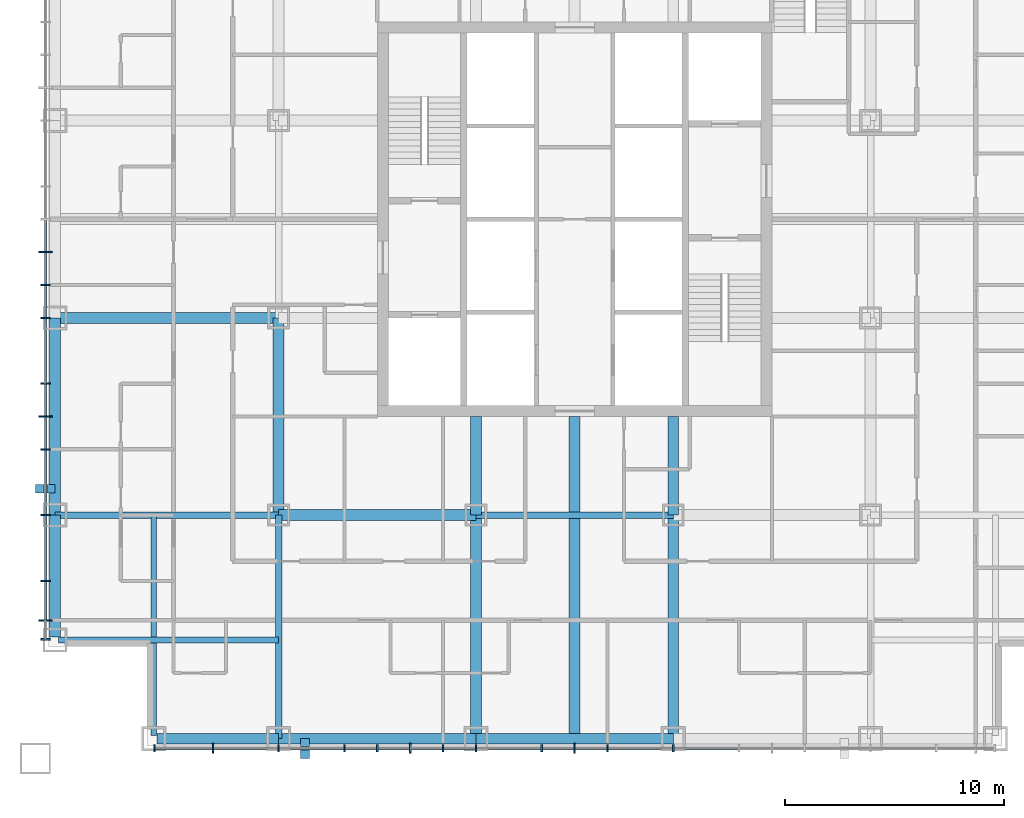
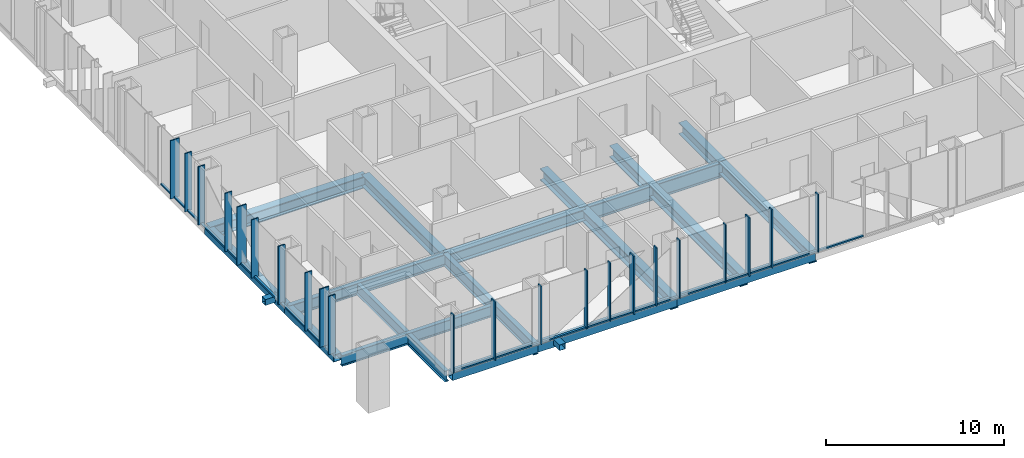
# One storey, part 2 of 14: 45 members, 18 beams, 2 elements without a shape of their own.
"""IFC4 building model written with IfcOpenShell, lengths in metres."""

import ifcopenshell
import ifcopenshell.guid

model = None  # the IFC model being written
_history = None  # IfcOwnerHistory: only IFC2X3 demands one
_inside = {}  # id of a spatial element -> (the spatial element, [elements in it])
_under = {}  # id of a project, library or spatial element -> (it, [spatial elements below it])
_declared = {}  # id of a project -> (the project, [libraries it declares])
_typed = {}  # id of a type object -> (the type object, [elements of that type])
_made_of = {}  # id of a material, layer set ... -> (it, [elements and type objects made of it])


def new_model(schema):
    """Start an empty IFC model of exactly this schema.

    Asked for "IFC4X3", IfcOpenShell would pick the latest addendum, in which some entities
    have other attributes; the version numbers below select the first issue.
    IFC2X3 requires an IfcOwnerHistory on every rooted entity: one is made here for all.
    """
    global model, _history
    if schema == "IFC4X3":
        model = ifcopenshell.file(schema_version=(4, 3, 0, 0))
    else:
        model = ifcopenshell.file(schema=schema)
    _inside.clear()
    _under.clear()
    _declared.clear()
    _typed.clear()
    _made_of.clear()
    _history = None
    if model.schema == "IFC2X3":
        org = make("IfcOrganization", Name="unknown")
        user = make(
            "IfcPersonAndOrganization",
            ThePerson=make("IfcPerson", FamilyName="unknown"),
            TheOrganization=org,
        )
        app = make(
            "IfcApplication",
            ApplicationDeveloper=org,
            Version="unknown",
            ApplicationFullName="unknown",
            ApplicationIdentifier="unknown",
        )
        _history = make(
            "IfcOwnerHistory",
            OwningUser=user,
            OwningApplication=app,
            ChangeAction="ADDED",
            CreationDate=0,
        )
    return model


def make(cls, **values):
    """One entity of the class cls with the attributes given. An attribute that is None is left unset."""
    return model.create_entity(
        cls, **{name: value for name, value in values.items() if value is not None}
    )


def rooted(cls, **values):
    """An entity with a GlobalId (a new one), such as an element, a storey or a relation."""
    return make(cls, GlobalId=ifcopenshell.guid.new(), OwnerHistory=_history, **values)


def si_unit(unit_type, name, prefix=None):
    """IfcSIUnit, for example si_unit("LENGTHUNIT", "METRE", prefix="MILLI")."""
    return make("IfcSIUnit", UnitType=unit_type, Prefix=prefix, Name=name)


def assignment(units):
    """IfcUnitAssignment: the units of a project."""
    return None if units is None else make("IfcUnitAssignment", Units=units)


def point(xyz):
    """IfcCartesianPoint."""
    return None if xyz is None else make("IfcCartesianPoint", Coordinates=xyz)


def direction(xyz):
    """IfcDirection."""
    return None if xyz is None else make("IfcDirection", DirectionRatios=xyz)


def frame(location, z_axis=None, x_axis=None):
    """IfcAxis2Placement3D, a coordinate frame: its origin and axes. An axis left out is left unset."""
    return make(
        "IfcAxis2Placement3D",
        Location=point(location),
        Axis=direction(z_axis),
        RefDirection=direction(x_axis),
    )


def frame_2d(location, x_axis=None):
    """IfcAxis2Placement2D, a coordinate frame in the plane: its origin and x axis."""
    return make(
        "IfcAxis2Placement2D", Location=point(location), RefDirection=direction(x_axis)
    )


def origin():
    """The frame at (0, 0, 0) with its axes left unset."""
    return frame((0.0, 0.0, 0.0))


def origin_2d():
    """The frame at (0, 0) in the plane with its x axis left unset."""
    return frame_2d((0.0, 0.0))


def place(relative_to, where):
    """IfcLocalPlacement: puts the frame where relative to a parent placement (None: the world)."""
    return make(
        "IfcLocalPlacement", PlacementRelTo=relative_to, RelativePlacement=where
    )


def context(
    kind, dimensions, precision=None, world=None, true_north=None, identifier=None
):
    """IfcGeometricRepresentationContext, for example the 3D "Model" context."""
    return make(
        "IfcGeometricRepresentationContext",
        ContextIdentifier=identifier,
        ContextType=kind,
        CoordinateSpaceDimension=dimensions,
        Precision=precision,
        WorldCoordinateSystem=world,
        TrueNorth=true_north,
    )


def subcontext(parent, identifier, kind, view, scale=None):
    """IfcGeometricRepresentationSubContext, for example "Body" below "Model"."""
    return make(
        "IfcGeometricRepresentationSubContext",
        ContextIdentifier=identifier,
        ContextType=kind,
        ParentContext=parent,
        TargetScale=scale,
        TargetView=view,
    )


def project(units=None, contexts=None):
    """IfcProject with its units and contexts."""
    return rooted(
        "IfcProject",
        Name="project",
        RepresentationContexts=contexts,
        UnitsInContext=assignment(units),
    )


def spatial(cls, under=None, at=None, **own):
    """A site, building, storey or space (cls), placed at a placement, below another one or the project."""
    s = rooted(cls, ObjectPlacement=at, **own)
    if under is not None:
        _under.setdefault(under.id(), (under, []))[1].append(s)
    return s


def profile(cls, at=None, kind="AREA", **sizes):
    """A parametric profile (cls). Its sizes go by their IFC names, for example OverallWidth=200.0."""
    return make(cls, ProfileType=kind, Position=at, **sizes)


def rectangle(**sizes):
    """IfcRectangleProfileDef."""
    return profile("IfcRectangleProfileDef", **sizes)


def hollow_rectangle(**sizes):
    """IfcRectangleHollowProfileDef."""
    return profile("IfcRectangleHollowProfileDef", **sizes)


def i_section(**sizes):
    """IfcIShapeProfileDef."""
    return profile("IfcIShapeProfileDef", **sizes)


def extrude(swept, where, along, depth):
    """IfcExtrudedAreaSolid: the profile swept, set in the frame where, extruded along a direction by depth."""
    return make(
        "IfcExtrudedAreaSolid",
        SweptArea=swept,
        Position=where,
        ExtrudedDirection=direction(along),
        Depth=depth,
    )


def shape(context_of_items, identifier, shape_type, items):
    """IfcShapeRepresentation: the items that make up one representation, for example the "Body"."""
    return make(
        "IfcShapeRepresentation",
        ContextOfItems=context_of_items,
        RepresentationIdentifier=identifier,
        RepresentationType=shape_type,
        Items=items,
    )


def material(Name=None, Category=None):
    """IfcMaterial."""
    return make("IfcMaterial", Name=Name, Category=Category)


def layer(
    of_material, thickness, ventilated=None, Name=None, Category=None, Priority=None
):
    """IfcMaterialLayer: one layer of a wall or slab, of a material (None: an air gap)."""
    return make(
        "IfcMaterialLayer",
        Material=of_material,
        LayerThickness=thickness,
        IsVentilated=ventilated,
        Name=Name,
        Category=Category,
        Priority=Priority,
    )


def layer_set(layers, Name=None):
    """IfcMaterialLayerSet."""
    return make("IfcMaterialLayerSet", MaterialLayers=layers, LayerSetName=Name)


def material_profile(
    of_material, cross_section, Name=None, Category=None, Priority=None
):
    """IfcMaterialProfile: a cross section and its material."""
    return make(
        "IfcMaterialProfile",
        Name=Name,
        Material=of_material,
        Profile=cross_section,
        Priority=Priority,
        Category=Category,
    )


def profile_set(profiles, Name=None, composite=None):
    """IfcMaterialProfileSet."""
    return make(
        "IfcMaterialProfileSet",
        Name=Name,
        MaterialProfiles=profiles,
        CompositeProfile=composite,
    )


def made_of(thing, what):
    """Note that an element or type object is made of a material, layer set ...; save() writes the relation."""
    if what is not None:
        _made_of.setdefault(what.id(), (what, []))[1].append(thing)
    return thing


def type_object(cls, material=None, **own):
    """A type object (cls), such as IfcWallType, which elements share."""
    return made_of(rooted(cls, **own), material)


def element(
    cls,
    number,
    at=None,
    inside=None,
    cuts=None,
    type_object=None,
    material=None,
    context=None,
    identifier="Body",
    shape_type=None,
    held_by="IfcProductDefinitionShape",
    body=None,
    shapes=None,
    **own,
):
    """One element of the class cls, such as IfcWall. Its Tag is "e" and its number.

    at: its placement. inside: the storey or other place that contains it. cuts: it is an
    opening in that element (IfcRelVoidsElement). A single representation is given by context,
    identifier, shape_type and body (its items); several are given by shapes. held_by: the class
    of the entity that holds the representations. save() writes the other relations.
    """
    e = rooted(cls, Tag="e%d" % number, ObjectPlacement=at, **own)
    if body is not None:
        shapes = [shape(context, identifier, shape_type, body)]
    if shapes is not None:
        e.Representation = make(held_by, Representations=shapes)
    if inside is not None:
        _inside.setdefault(inside.id(), (inside, []))[1].append(e)
    if cuts is not None:
        rooted(
            "IfcRelVoidsElement", RelatingBuildingElement=cuts, RelatedOpeningElement=e
        )
    if type_object is not None:
        _typed.setdefault(type_object.id(), (type_object, []))[1].append(e)
    return made_of(e, material)


def aggregate(whole, parts):
    """IfcRelAggregates: a whole, such as a stair, and the parts it consists of."""
    return rooted("IfcRelAggregates", RelatingObject=whole, RelatedObjects=parts)


def save(model, path):
    """Write the relations noted so far, then the file.

    IfcRelAggregates (storeys below a building ...), IfcRelContainedInSpatialStructure (elements
    in a storey), IfcRelDefinesByType, IfcRelAssociatesMaterial and IfcRelDeclares: one each for
    every whole, place, type object, material and project.
    """
    for whole, parts in _under.values():
        aggregate(whole, parts)
    for where, things in _inside.values():
        rooted(
            "IfcRelContainedInSpatialStructure",
            RelatedElements=things,
            RelatingStructure=where,
        )
    for kind, things in _typed.values():
        rooted("IfcRelDefinesByType", RelatedObjects=things, RelatingType=kind)
    for what, things in _made_of.values():
        rooted("IfcRelAssociatesMaterial", RelatedObjects=things, RelatingMaterial=what)
    for by, libraries in _declared.values():
        rooted("IfcRelDeclares", RelatingContext=by, RelatedDefinitions=libraries)
    model.write(path)


model = new_model("IFC4")

# Units and contexts
model_context = context("Model", 3, precision=1e-05, world=origin(), true_north=direction((0.0, 1.0)))
body_context = subcontext(model_context, "Body", "Model", "MODEL_VIEW")
ifc_project = project(units=[si_unit("LENGTHUNIT", "METRE"), si_unit("AREAUNIT", "SQUARE_METRE"), si_unit("VOLUMEUNIT", "CUBIC_METRE"), si_unit("PLANEANGLEUNIT", "RADIAN"), si_unit("MASSUNIT", "GRAM", prefix="KILO")], contexts=[model_context])

# Site, building, storey
site_placement = place(None, origin())
site = spatial("IfcSite", under=ifc_project, at=site_placement, CompositionType="ELEMENT")
building_placement = place(site_placement, origin())
building = spatial("IfcBuilding", under=site, at=building_placement, Name="Malebo Sky Hospital", CompositionType="ELEMENT")
storey_placement = place(building_placement, frame((0.0, 0.0, 148.0)))
storey = spatial("IfcBuildingStorey", under=building, at=storey_placement, Name="L35", CompositionType="ELEMENT", Elevation=148.0)

# Curtain wall, members
ifc_material_1 = material(Name="Anodised aluminium, natural silver", Category="aluminium")
ifc_layer_1 = layer(ifc_material_1, 0.25)
ifc_layer_set_1 = layer_set([ifc_layer_1], Name="WARD CURTAIN WALL EAST AND WEST")
curtain_wall_type_1 = type_object("IfcCurtainWallType", Name="WARD CURTAIN WALL EAST AND WEST", PredefinedType="NOTDEFINED", material=ifc_layer_set_1)
curtain_wall_1_placement = place(storey_placement, origin())
curtain_wall_1 = element("IfcCurtainWall", 1, at=curtain_wall_1_placement, inside=storey, type_object=curtain_wall_type_1, Name="EW curtain wall W", PredefinedType="NOTDEFINED")
ifc_material_profile_1 = material_profile(ifc_material_1, rectangle(XDim=0.14990234375, YDim=0.10009765625, at=origin_2d()), Name="ALUMINIUM TRANSOM 150x100")
ifc_profile_set_1 = profile_set([ifc_material_profile_1], Name="Anodised aluminium, natural silver")
member_type_1 = type_object("IfcMemberType", Name="ALUMINIUM TRANSOM 150x100", PredefinedType="USERDEFINED", material=ifc_profile_set_1)
member_1_placement = place(storey_placement, frame((35.864990234375, 43.737548828125, 0.050048828125), z_axis=(0.0, 1.0, 0.0), x_axis=(-1.0, 0.0, 0.0)))
member_1 = element("IfcMember", 2, at=member_1_placement, type_object=member_type_1, Name="Transom 2", ObjectType="TRANSOM", PredefinedType="USERDEFINED", context=body_context, shape_type="SweptSolid", body=[
    extrude(rectangle(XDim=0.14990234375, YDim=0.10009765625, at=origin_2d()), origin(), (0.0, 0.0, 1.0), 1.724853515625),
])
member_2_placement = place(storey_placement, frame((35.864990234375, 45.53759765625, 0.050048828125), z_axis=(0.0, 1.0, 0.0), x_axis=(-1.0, 0.0, 0.0)))
member_2 = element("IfcMember", 3, at=member_2_placement, type_object=member_type_1, Name="Transom 3", ObjectType="TRANSOM", PredefinedType="USERDEFINED", context=body_context, shape_type="SweptSolid", body=[
    extrude(rectangle(XDim=0.14990234375, YDim=0.10009765625, at=origin_2d()), origin(), (0.0, 0.0, 1.0), 2.9248046875),
])
member_3_placement = place(storey_placement, frame((35.864990234375, 48.53759765625, 0.050048828125), z_axis=(0.0, 1.0, 0.0), x_axis=(-1.0, 0.0, 0.0)))
member_3 = element("IfcMember", 4, at=member_3_placement, type_object=member_type_1, Name="Transom 4", ObjectType="TRANSOM", PredefinedType="USERDEFINED", context=body_context, shape_type="SweptSolid", body=[
    extrude(rectangle(XDim=0.14990234375, YDim=0.10009765625, at=origin_2d()), origin(), (0.0, 0.0, 1.0), 2.9248046875),
])
member_4_placement = place(storey_placement, frame((35.864990234375, 51.53759765625, 0.050048828125), z_axis=(0.0, 1.0, 0.0), x_axis=(-1.0, 0.0, 0.0)))
member_4 = element("IfcMember", 5, at=member_4_placement, type_object=member_type_1, Name="Transom 5", ObjectType="TRANSOM", PredefinedType="USERDEFINED", context=body_context, shape_type="SweptSolid", body=[
    extrude(rectangle(XDim=0.14990234375, YDim=0.10009765625, at=origin_2d()), origin(), (0.0, 0.0, 1.0), 1.4248046875),
])
member_5_placement = place(storey_placement, frame((35.864990234375, 53.03759765625, 0.050048828125), z_axis=(0.0, 1.0, 0.0), x_axis=(-1.0, 0.0, 0.0)))
member_5 = element("IfcMember", 6, at=member_5_placement, type_object=member_type_1, Name="Transom 6", ObjectType="TRANSOM", PredefinedType="USERDEFINED", context=body_context, shape_type="SweptSolid", body=[
    extrude(rectangle(XDim=0.14990234375, YDim=0.10009765625, at=origin_2d()), origin(), (0.0, 0.0, 1.0), 1.4248046875),
])
member_6_placement = place(storey_placement, frame((35.864990234375, 54.53759765625, 0.050048828125), z_axis=(0.0, 1.0, 0.0), x_axis=(-1.0, 0.0, 0.0)))
member_6 = element("IfcMember", 7, at=member_6_placement, type_object=member_type_1, Name="Transom 7", ObjectType="TRANSOM", PredefinedType="USERDEFINED", context=body_context, shape_type="SweptSolid", body=[
    extrude(rectangle(XDim=0.14990234375, YDim=0.10009765625, at=origin_2d()), origin(), (0.0, 0.0, 1.0), 2.9248046875),
])
member_7_placement = place(storey_placement, frame((35.864990234375, 57.53759765625, 0.050048828125), z_axis=(0.0, 1.0, 0.0), x_axis=(-1.0, 0.0, 0.0)))
member_7 = element("IfcMember", 8, at=member_7_placement, type_object=member_type_1, Name="Transom 8", ObjectType="TRANSOM", PredefinedType="USERDEFINED", context=body_context, shape_type="SweptSolid", body=[
    extrude(rectangle(XDim=0.14990234375, YDim=0.10009765625, at=origin_2d()), origin(), (0.0, 0.0, 1.0), 1.4248046875),
])
member_8_placement = place(storey_placement, frame((35.864990234375, 59.03759765625, 0.050048828125), z_axis=(0.0, 1.0, 0.0), x_axis=(-1.0, 0.0, 0.0)))
member_8 = element("IfcMember", 9, at=member_8_placement, type_object=member_type_1, Name="Transom 9", ObjectType="TRANSOM", PredefinedType="USERDEFINED", context=body_context, shape_type="SweptSolid", body=[
    extrude(rectangle(XDim=0.14990234375, YDim=0.10009765625, at=origin_2d()), origin(), (0.0, 0.0, 1.0), 1.4248046875),
])
member_9_placement = place(storey_placement, frame((35.864990234375, 60.53759765625, 0.050048828125), z_axis=(0.0, 1.0, 0.0), x_axis=(-1.0, 0.0, 0.0)))
member_9 = element("IfcMember", 10, at=member_9_placement, type_object=member_type_1, Name="Transom 10", ObjectType="TRANSOM", PredefinedType="USERDEFINED", context=body_context, shape_type="SweptSolid", body=[
    extrude(rectangle(XDim=0.14990234375, YDim=0.10009765625, at=origin_2d()), origin(), (0.0, 0.0, 1.0), 1.4248046875),
])

ifc_layer_2 = layer(ifc_material_1, 0.25)
ifc_layer_set_2 = layer_set([ifc_layer_2], Name="WARD CURTAIN WALL NORTH AND SOUTH")
curtain_wall_type_2 = type_object("IfcCurtainWallType", Name="WARD CURTAIN WALL NORTH AND SOUTH", PredefinedType="NOTDEFINED", material=ifc_layer_set_2)
curtain_wall_2_placement = place(storey_placement, origin())
curtain_wall_2 = element("IfcCurtainWall", 11, at=curtain_wall_2_placement, inside=storey, type_object=curtain_wall_type_2, Name="NS curtain wall S", PredefinedType="NOTDEFINED")
member_10_placement = place(storey_placement, frame((67.46240234375, 37.864990234375, 0.050048828125), z_axis=(-1.0, 0.0, 0.0), x_axis=(0.0, -1.0, 0.0)))
member_10 = element("IfcMember", 12, at=member_10_placement, type_object=member_type_1, Name="Transom 7", ObjectType="TRANSOM", PredefinedType="USERDEFINED", context=body_context, shape_type="SweptSolid", body=[
    extrude(rectangle(XDim=0.14990234375, YDim=0.10009765625, at=origin_2d()), origin(), (0.0, 0.0, 1.0), 2.9248046875),
])
member_11_placement = place(storey_placement, frame((64.46240234375, 37.864990234375, 0.050048828125), z_axis=(-1.0, 0.0, 0.0), x_axis=(0.0, -1.0, 0.0)))
member_11 = element("IfcMember", 13, at=member_11_placement, type_object=member_type_1, Name="Transom 8", ObjectType="TRANSOM", PredefinedType="USERDEFINED", context=body_context, shape_type="SweptSolid", body=[
    extrude(rectangle(XDim=0.14990234375, YDim=0.10009765625, at=origin_2d()), origin(), (0.0, 0.0, 1.0), 2.9248046875),
])
member_12_placement = place(storey_placement, frame((61.46240234375, 37.864990234375, 0.050048828125), z_axis=(-1.0, 0.0, 0.0), x_axis=(0.0, -1.0, 0.0)))
member_12 = element("IfcMember", 14, at=member_12_placement, type_object=member_type_1, Name="Transom 9", ObjectType="TRANSOM", PredefinedType="USERDEFINED", context=body_context, shape_type="SweptSolid", body=[
    extrude(rectangle(XDim=0.14990234375, YDim=0.10009765625, at=origin_2d()), origin(), (0.0, 0.0, 1.0), 1.4248046875),
])
member_13_placement = place(storey_placement, frame((59.96240234375, 37.864990234375, 0.050048828125), z_axis=(-1.0, 0.0, 0.0), x_axis=(0.0, -1.0, 0.0)))
member_13 = element("IfcMember", 15, at=member_13_placement, type_object=member_type_1, Name="Transom 10", ObjectType="TRANSOM", PredefinedType="USERDEFINED", context=body_context, shape_type="SweptSolid", body=[
    extrude(rectangle(XDim=0.14990234375, YDim=0.10009765625, at=origin_2d()), origin(), (0.0, 0.0, 1.0), 1.4248046875),
])
member_14_placement = place(storey_placement, frame((58.46240234375, 37.864990234375, 0.050048828125), z_axis=(-1.0, 0.0, 0.0), x_axis=(0.0, -1.0, 0.0)))
member_14 = element("IfcMember", 16, at=member_14_placement, type_object=member_type_1, Name="Transom 11", ObjectType="TRANSOM", PredefinedType="USERDEFINED", context=body_context, shape_type="SweptSolid", body=[
    extrude(rectangle(XDim=0.14990234375, YDim=0.10009765625, at=origin_2d()), origin(), (0.0, 0.0, 1.0), 2.9248046875),
])
member_15_placement = place(storey_placement, frame((55.46240234375, 37.864990234375, 0.050048828125), z_axis=(-1.0, 0.0, 0.0), x_axis=(0.0, -1.0, 0.0)))
member_15 = element("IfcMember", 17, at=member_15_placement, type_object=member_type_1, Name="Transom 12", ObjectType="TRANSOM", PredefinedType="USERDEFINED", context=body_context, shape_type="SweptSolid", body=[
    extrude(rectangle(XDim=0.14990234375, YDim=0.10009765625, at=origin_2d()), origin(), (0.0, 0.0, 1.0), 1.4248046875),
])
member_16_placement = place(storey_placement, frame((53.96240234375, 37.864990234375, 0.050048828125), z_axis=(-1.0, 0.0, 0.0), x_axis=(0.0, -1.0, 0.0)))
member_16 = element("IfcMember", 18, at=member_16_placement, type_object=member_type_1, Name="Transom 13", ObjectType="TRANSOM", PredefinedType="USERDEFINED", context=body_context, shape_type="SweptSolid", body=[
    extrude(rectangle(XDim=0.14990234375, YDim=0.10009765625, at=origin_2d()), origin(), (0.0, 0.0, 1.0), 1.4248046875),
])
member_17_placement = place(storey_placement, frame((52.46240234375, 37.864990234375, 0.050048828125), z_axis=(-1.0, 0.0, 0.0), x_axis=(0.0, -1.0, 0.0)))
member_17 = element("IfcMember", 19, at=member_17_placement, type_object=member_type_1, Name="Transom 14", ObjectType="TRANSOM", PredefinedType="USERDEFINED", context=body_context, shape_type="SweptSolid", body=[
    extrude(rectangle(XDim=0.14990234375, YDim=0.10009765625, at=origin_2d()), origin(), (0.0, 0.0, 1.0), 1.4248046875),
])
member_18_placement = place(storey_placement, frame((50.96240234375, 37.864990234375, 0.050048828125), z_axis=(-1.0, 0.0, 0.0), x_axis=(0.0, -1.0, 0.0)))
member_18 = element("IfcMember", 20, at=member_18_placement, type_object=member_type_1, Name="Transom 15", ObjectType="TRANSOM", PredefinedType="USERDEFINED", context=body_context, shape_type="SweptSolid", body=[
    extrude(rectangle(XDim=0.14990234375, YDim=0.10009765625, at=origin_2d()), origin(), (0.0, 0.0, 1.0), 1.4248046875),
])
member_19_placement = place(storey_placement, frame((49.46240234375, 37.864990234375, 0.050048828125), z_axis=(-1.0, 0.0, 0.0), x_axis=(0.0, -1.0, 0.0)))
member_19 = element("IfcMember", 21, at=member_19_placement, type_object=member_type_1, Name="Transom 16", ObjectType="TRANSOM", PredefinedType="USERDEFINED", context=body_context, shape_type="SweptSolid", body=[
    extrude(rectangle(XDim=0.14990234375, YDim=0.10009765625, at=origin_2d()), origin(), (0.0, 0.0, 1.0), 2.9248046875),
])
member_20_placement = place(storey_placement, frame((46.46240234375, 37.864990234375, 0.050048828125), z_axis=(-1.0, 0.0, 0.0), x_axis=(0.0, -1.0, 0.0)))
member_20 = element("IfcMember", 22, at=member_20_placement, type_object=member_type_1, Name="Transom 17", ObjectType="TRANSOM", PredefinedType="USERDEFINED", context=body_context, shape_type="SweptSolid", body=[
    extrude(rectangle(XDim=0.14990234375, YDim=0.10009765625, at=origin_2d()), origin(), (0.0, 0.0, 1.0), 2.9248046875),
])
member_21_placement = place(storey_placement, frame((43.46240234375, 37.864990234375, 0.050048828125), z_axis=(-1.0, 0.0, 0.0), x_axis=(0.0, -1.0, 0.0)))
member_21 = element("IfcMember", 23, at=member_21_placement, type_object=member_type_1, Name="Transom 18", ObjectType="TRANSOM", PredefinedType="USERDEFINED", context=body_context, shape_type="SweptSolid", body=[
    extrude(rectangle(XDim=0.14990234375, YDim=0.10009765625, at=origin_2d()), origin(), (0.0, 0.0, 1.0), 2.58740234375),
])

# Members
ifc_material_2 = material(Name="Steel S355", Category="steel")
ifc_material_profile_2 = material_profile(ifc_material_2, hollow_rectangle(XDim=0.39990234375, YDim=0.39990234375, WallThickness=0.02001953125, at=origin_2d()), Name="SHS 400x20")
ifc_profile_set_2 = profile_set([ifc_material_profile_2], Name="Steel S355")
member_type_2 = type_object("IfcMemberType", Name="BRACE STRUT SHS 400x20", PredefinedType="STRUT", material=ifc_profile_set_2)
for number, where, z_axis, x_axis, name in (
    (24, (47.699951171875, 37.39990234375, -0.39990234375), (0.0, 1.0, 0.0), (-1.0, 0.0, 0.0), "Brace strut BS1 L35"),
    (25, (35.39990234375, 49.699951171875, -0.39990234375), (1.0, 0.0, 0.0), (0.0, 1.0, 0.0), "Brace strut BW2 L35"),
):
    element("IfcMember", number, at=place(storey_placement, frame(where, z_axis=z_axis, x_axis=x_axis)), inside=storey, type_object=member_type_2, Name=name, PredefinedType="STRUT", context=body_context, shape_type="SweptSolid", body=[
        extrude(hollow_rectangle(XDim=0.39990234375, YDim=0.39990234375, WallThickness=0.02001953125, at=origin_2d()), origin(), (0.0, 0.0, 1.0), 0.900146484375),
    ])

# Member
ifc_material_profile_3 = material_profile(ifc_material_1, rectangle(XDim=0.074951171875, YDim=0.300048828125, at=origin_2d()), Name="CW1 ALUMINIUM FIN MULLION 75x300")
ifc_profile_set_3 = profile_set([ifc_material_profile_3], Name="Anodised aluminium, natural silver")
member_type_3 = type_object("IfcMemberType", Name="CW1 ALUMINIUM FIN MULLION 75x300", PredefinedType="MULLION", material=ifc_profile_set_3)
member_22_placement = place(storey_placement, frame((64.5, 37.864990234375, 0.0), z_axis=(0.0, 0.0, 1.0), x_axis=(-1.0, 0.0, 0.0)))
member_22 = element("IfcMember", 26, at=member_22_placement, type_object=member_type_3, Name="Fin mullion 8", PredefinedType="MULLION", context=body_context, shape_type="SweptSolid", body=[
    extrude(rectangle(XDim=0.074951171875, YDim=0.300048828125, at=origin_2d()), origin(), (0.0, 0.0, 1.0), 4.0),
])

member_23_placement = place(storey_placement, frame((61.5, 37.864990234375, 0.0), z_axis=(0.0, 0.0, 1.0), x_axis=(-1.0, 0.0, 0.0)))
member_23 = element("IfcMember", 27, at=member_23_placement, type_object=member_type_3, Name="Fin mullion 9", PredefinedType="MULLION", context=body_context, shape_type="SweptSolid", body=[
    extrude(rectangle(XDim=0.074951171875, YDim=0.300048828125, at=origin_2d()), origin(), (0.0, 0.0, 1.0), 4.0),
])

member_24_placement = place(storey_placement, frame((58.5, 37.864990234375, 0.0), z_axis=(0.0, 0.0, 1.0), x_axis=(-1.0, 0.0, 0.0)))
member_24 = element("IfcMember", 28, at=member_24_placement, type_object=member_type_3, Name="Fin mullion 11", PredefinedType="MULLION", context=body_context, shape_type="SweptSolid", body=[
    extrude(rectangle(XDim=0.074951171875, YDim=0.300048828125, at=origin_2d()), origin(), (0.0, 0.0, 1.0), 4.0),
])

member_25_placement = place(storey_placement, frame((55.5, 37.864990234375, 0.0), z_axis=(0.0, 0.0, 1.0), x_axis=(-1.0, 0.0, 0.0)))
member_25 = element("IfcMember", 29, at=member_25_placement, type_object=member_type_3, Name="Fin mullion 12", PredefinedType="MULLION", context=body_context, shape_type="SweptSolid", body=[
    extrude(rectangle(XDim=0.074951171875, YDim=0.300048828125, at=origin_2d()), origin(), (0.0, 0.0, 1.0), 4.0),
])

member_26_placement = place(storey_placement, frame((54.0, 37.864990234375, 0.0), z_axis=(0.0, 0.0, 1.0), x_axis=(-1.0, 0.0, 0.0)))
member_26 = element("IfcMember", 30, at=member_26_placement, type_object=member_type_3, Name="Fin mullion 13", PredefinedType="MULLION", context=body_context, shape_type="SweptSolid", body=[
    extrude(rectangle(XDim=0.074951171875, YDim=0.300048828125, at=origin_2d()), origin(), (0.0, 0.0, 1.0), 4.0),
])

member_27_placement = place(storey_placement, frame((51.0, 37.864990234375, 0.0), z_axis=(0.0, 0.0, 1.0), x_axis=(-1.0, 0.0, 0.0)))
member_27 = element("IfcMember", 31, at=member_27_placement, type_object=member_type_3, Name="Fin mullion 15", PredefinedType="MULLION", context=body_context, shape_type="SweptSolid", body=[
    extrude(rectangle(XDim=0.074951171875, YDim=0.300048828125, at=origin_2d()), origin(), (0.0, 0.0, 1.0), 4.0),
])

member_28_placement = place(storey_placement, frame((49.5, 37.864990234375, 0.0), z_axis=(0.0, 0.0, 1.0), x_axis=(-1.0, 0.0, 0.0)))
member_28 = element("IfcMember", 32, at=member_28_placement, type_object=member_type_3, Name="Fin mullion 16", PredefinedType="MULLION", context=body_context, shape_type="SweptSolid", body=[
    extrude(rectangle(XDim=0.074951171875, YDim=0.300048828125, at=origin_2d()), origin(), (0.0, 0.0, 1.0), 4.0),
])

member_29_placement = place(storey_placement, frame((46.5, 37.864990234375, 0.0), z_axis=(0.0, 0.0, 1.0), x_axis=(-1.0, 0.0, 0.0)))
member_29 = element("IfcMember", 33, at=member_29_placement, type_object=member_type_3, Name="Fin mullion 17", PredefinedType="MULLION", context=body_context, shape_type="SweptSolid", body=[
    extrude(rectangle(XDim=0.074951171875, YDim=0.300048828125, at=origin_2d()), origin(), (0.0, 0.0, 1.0), 4.0),
])

member_30_placement = place(storey_placement, frame((40.83740234375, 37.864990234375, 0.0), z_axis=(0.0, 0.0, 1.0), x_axis=(-1.0, 0.0, 0.0)))
member_30 = element("IfcMember", 34, at=member_30_placement, type_object=member_type_3, Name="Fin mullion 19", PredefinedType="MULLION", context=body_context, shape_type="SweptSolid", body=[
    extrude(rectangle(XDim=0.074951171875, YDim=0.300048828125, at=origin_2d()), origin(), (0.0, 0.0, 1.0), 4.0),
])

ifc_material_profile_4 = material_profile(ifc_material_1, rectangle(XDim=0.074951171875, YDim=0.449951171875, at=origin_2d()), Name="CW1 ALUMINIUM FIN MULLION 75x450")
ifc_profile_set_4 = profile_set([ifc_material_profile_4], Name="Anodised aluminium, natural silver")
member_type_4 = type_object("IfcMemberType", Name="CW1 ALUMINIUM FIN MULLION 75x450", PredefinedType="MULLION", material=ifc_profile_set_4)
member_31_placement = place(storey_placement, frame((60.0, 37.864990234375, 0.0), z_axis=(0.0, 0.0, 1.0), x_axis=(-1.0, 0.0, 0.0)))
member_31 = element("IfcMember", 35, at=member_31_placement, type_object=member_type_4, Name="Fin mullion 10", PredefinedType="MULLION", context=body_context, shape_type="SweptSolid", body=[
    extrude(rectangle(XDim=0.074951171875, YDim=0.449951171875, at=origin_2d()), origin(), (0.0, 0.0, 1.0), 4.0),
])

member_32_placement = place(storey_placement, frame((52.5, 37.864990234375, 0.0), z_axis=(0.0, 0.0, 1.0), x_axis=(-1.0, 0.0, 0.0)))
member_32 = element("IfcMember", 36, at=member_32_placement, type_object=member_type_4, Name="Fin mullion 14", PredefinedType="MULLION", context=body_context, shape_type="SweptSolid", body=[
    extrude(rectangle(XDim=0.074951171875, YDim=0.449951171875, at=origin_2d()), origin(), (0.0, 0.0, 1.0), 4.0),
])

member_33_placement = place(storey_placement, frame((43.5, 37.864990234375, 0.0), z_axis=(0.0, 0.0, 1.0), x_axis=(-1.0, 0.0, 0.0)))
member_33 = element("IfcMember", 37, at=member_33_placement, type_object=member_type_4, Name="Fin mullion 18", PredefinedType="MULLION", context=body_context, shape_type="SweptSolid", body=[
    extrude(rectangle(XDim=0.074951171875, YDim=0.449951171875, at=origin_2d()), origin(), (0.0, 0.0, 1.0), 4.0),
])

aggregate(curtain_wall_2, [member_22, member_23, member_31, member_24, member_25, member_26, member_32, member_27, member_28, member_29, member_33, member_30, member_10, member_11, member_12, member_13, member_14, member_15, member_16, member_17, member_18, member_19, member_20, member_21])

ifc_material_profile_5 = material_profile(ifc_material_1, rectangle(XDim=0.074951171875, YDim=0.449951171875, at=origin_2d()), Name="CW2 ALUMINIUM FIN MULLION 75x450")
ifc_profile_set_5 = profile_set([ifc_material_profile_5], Name="Anodised aluminium, natural silver")
member_type_5 = type_object("IfcMemberType", Name="CW2 ALUMINIUM FIN MULLION 75x450", PredefinedType="MULLION", material=ifc_profile_set_5)
member_34_placement = place(storey_placement, frame((35.864990234375, 42.83740234375, 0.0), z_axis=(0.0, 0.0, 1.0), x_axis=(0.0, 1.0, 0.0)))
member_34 = element("IfcMember", 38, at=member_34_placement, type_object=member_type_5, Name="Fin mullion 1", PredefinedType="MULLION", context=body_context, shape_type="SweptSolid", body=[
    extrude(rectangle(XDim=0.074951171875, YDim=0.449951171875, at=origin_2d()), origin(), (0.0, 0.0, 1.0), 4.0),
])

member_35_placement = place(storey_placement, frame((35.864990234375, 45.5, 0.0), z_axis=(0.0, 0.0, 1.0), x_axis=(0.0, 1.0, 0.0)))
member_35 = element("IfcMember", 39, at=member_35_placement, type_object=member_type_5, Name="Fin mullion 3", PredefinedType="MULLION", context=body_context, shape_type="SweptSolid", body=[
    extrude(rectangle(XDim=0.074951171875, YDim=0.449951171875, at=origin_2d()), origin(), (0.0, 0.0, 1.0), 4.0),
])

member_36_placement = place(storey_placement, frame((35.864990234375, 48.5, 0.0), z_axis=(0.0, 0.0, 1.0), x_axis=(0.0, 1.0, 0.0)))
member_36 = element("IfcMember", 40, at=member_36_placement, type_object=member_type_5, Name="Fin mullion 4", PredefinedType="MULLION", context=body_context, shape_type="SweptSolid", body=[
    extrude(rectangle(XDim=0.074951171875, YDim=0.449951171875, at=origin_2d()), origin(), (0.0, 0.0, 1.0), 4.0),
])

member_37_placement = place(storey_placement, frame((35.864990234375, 51.5, 0.0), z_axis=(0.0, 0.0, 1.0), x_axis=(0.0, 1.0, 0.0)))
member_37 = element("IfcMember", 41, at=member_37_placement, type_object=member_type_5, Name="Fin mullion 5", PredefinedType="MULLION", context=body_context, shape_type="SweptSolid", body=[
    extrude(rectangle(XDim=0.074951171875, YDim=0.449951171875, at=origin_2d()), origin(), (0.0, 0.0, 1.0), 4.0),
])

member_38_placement = place(storey_placement, frame((35.864990234375, 54.5, 0.0), z_axis=(0.0, 0.0, 1.0), x_axis=(0.0, 1.0, 0.0)))
member_38 = element("IfcMember", 42, at=member_38_placement, type_object=member_type_5, Name="Fin mullion 7", PredefinedType="MULLION", context=body_context, shape_type="SweptSolid", body=[
    extrude(rectangle(XDim=0.074951171875, YDim=0.449951171875, at=origin_2d()), origin(), (0.0, 0.0, 1.0), 4.0),
])

member_39_placement = place(storey_placement, frame((35.864990234375, 57.5, 0.0), z_axis=(0.0, 0.0, 1.0), x_axis=(0.0, 1.0, 0.0)))
member_39 = element("IfcMember", 43, at=member_39_placement, type_object=member_type_5, Name="Fin mullion 8", PredefinedType="MULLION", context=body_context, shape_type="SweptSolid", body=[
    extrude(rectangle(XDim=0.074951171875, YDim=0.449951171875, at=origin_2d()), origin(), (0.0, 0.0, 1.0), 4.0),
])

member_40_placement = place(storey_placement, frame((35.864990234375, 59.0, 0.0), z_axis=(0.0, 0.0, 1.0), x_axis=(0.0, 1.0, 0.0)))
member_40 = element("IfcMember", 44, at=member_40_placement, type_object=member_type_5, Name="Fin mullion 9", PredefinedType="MULLION", context=body_context, shape_type="SweptSolid", body=[
    extrude(rectangle(XDim=0.074951171875, YDim=0.449951171875, at=origin_2d()), origin(), (0.0, 0.0, 1.0), 4.0),
])

ifc_material_profile_6 = material_profile(ifc_material_1, rectangle(XDim=0.074951171875, YDim=0.60009765625, at=origin_2d()), Name="CW2 ALUMINIUM FIN MULLION 75x600")
ifc_profile_set_6 = profile_set([ifc_material_profile_6], Name="Anodised aluminium, natural silver")
member_type_6 = type_object("IfcMemberType", Name="CW2 ALUMINIUM FIN MULLION 75x600", PredefinedType="MULLION", material=ifc_profile_set_6)
member_41_placement = place(storey_placement, frame((35.864990234375, 43.699951171875, 0.0), z_axis=(0.0, 0.0, 1.0), x_axis=(0.0, 1.0, 0.0)))
member_41 = element("IfcMember", 45, at=member_41_placement, type_object=member_type_6, Name="Fin mullion 2", PredefinedType="MULLION", context=body_context, shape_type="SweptSolid", body=[
    extrude(rectangle(XDim=0.074951171875, YDim=0.60009765625, at=origin_2d()), origin(), (0.0, 0.0, 1.0), 4.0),
])

member_42_placement = place(storey_placement, frame((35.864990234375, 53.0, 0.0), z_axis=(0.0, 0.0, 1.0), x_axis=(0.0, 1.0, 0.0)))
member_42 = element("IfcMember", 46, at=member_42_placement, type_object=member_type_6, Name="Fin mullion 6", PredefinedType="MULLION", context=body_context, shape_type="SweptSolid", body=[
    extrude(rectangle(XDim=0.074951171875, YDim=0.60009765625, at=origin_2d()), origin(), (0.0, 0.0, 1.0), 4.0),
])

member_43_placement = place(storey_placement, frame((35.864990234375, 60.5, 0.0), z_axis=(0.0, 0.0, 1.0), x_axis=(0.0, 1.0, 0.0)))
member_43 = element("IfcMember", 47, at=member_43_placement, type_object=member_type_6, Name="Fin mullion 10", PredefinedType="MULLION", context=body_context, shape_type="SweptSolid", body=[
    extrude(rectangle(XDim=0.074951171875, YDim=0.60009765625, at=origin_2d()), origin(), (0.0, 0.0, 1.0), 4.0),
])

aggregate(curtain_wall_1, [member_34, member_41, member_35, member_36, member_37, member_42, member_38, member_39, member_40, member_43, member_1, member_2, member_3, member_4, member_5, member_6, member_7, member_8, member_9])

# Beams
ifc_material_3 = material(Name="Steel S460", Category="steel")
ifc_material_profile_7 = material_profile(ifc_material_3, hollow_rectangle(XDim=0.5, YDim=0.5, WallThickness=0.030029296875, at=origin_2d()), Name="BOX 500x500x30")
ifc_profile_set_7 = profile_set([ifc_material_profile_7], Name="Steel S460")
beam_type_1 = type_object("IfcBeamType", Name="EDGE BEAM BOX 500x500x30", PredefinedType="BEAM", material=ifc_profile_set_7)
beam_1_placement = place(storey_placement, frame((36.300048828125, 42.949951171875, -0.5), z_axis=(0.0, 1.0, 0.0), x_axis=(-1.0, 0.0, 0.0)))
element("IfcBeam", 48, at=beam_1_placement, inside=storey, type_object=beam_type_1, Name="Beam 000 L35", PredefinedType="BEAM", context=body_context, shape_type="SweptSolid", body=[
    extrude(hollow_rectangle(XDim=0.5, YDim=0.5, WallThickness=0.030029296875, at=origin_2d()), origin(), (0.0, 0.0, 1.0), 5.550048828125),
])
beam_2_placement = place(storey_placement, frame((36.300048828125, 48.5, -0.5), z_axis=(0.0, 1.0, 0.0), x_axis=(-1.0, 0.0, 0.0)))
element("IfcBeam", 49, at=beam_2_placement, inside=storey, type_object=beam_type_1, Name="Beam 001 L35", PredefinedType="BEAM", context=body_context, shape_type="SweptSolid", body=[
    extrude(hollow_rectangle(XDim=0.5, YDim=0.5, WallThickness=0.030029296875, at=origin_2d()), origin(), (0.0, 0.0, 1.0), 9.0),
])
beam_3_placement = place(storey_placement, frame((40.949951171875, 38.300048828125, -0.5), z_axis=(1.0, 0.0, 0.0), x_axis=(0.0, 1.0, 0.0)))
element("IfcBeam", 50, at=beam_3_placement, inside=storey, type_object=beam_type_1, Name="Beam 034 L35", PredefinedType="BEAM", context=body_context, shape_type="SweptSolid", body=[
    extrude(hollow_rectangle(XDim=0.5, YDim=0.5, WallThickness=0.030029296875, at=origin_2d()), origin(), (0.0, 0.0, 1.0), 5.550048828125),
])
for number, where, z_axis, x_axis, name in (
    (51, (46.5, 38.300048828125, -0.5), (1.0, 0.0, 0.0), (0.0, 1.0, 0.0), "Beam 035 L35"),
    (52, (55.5, 38.300048828125, -0.5), (1.0, 0.0, 0.0), (0.0, 1.0, 0.0), "Beam 036 L35"),
):
    element("IfcBeam", number, at=place(storey_placement, frame(where, z_axis=z_axis, x_axis=x_axis)), inside=storey, type_object=beam_type_1, Name=name, PredefinedType="BEAM", context=body_context, shape_type="SweptSolid", body=[
        extrude(hollow_rectangle(XDim=0.5, YDim=0.5, WallThickness=0.030029296875, at=origin_2d()), origin(), (0.0, 0.0, 1.0), 9.0),
    ])
ifc_material_profile_8 = material_profile(ifc_material_2, i_section(OverallWidth=0.262939453125, OverallDepth=0.7529296875, WebThickness=0.011474609375, FlangeThickness=0.01708984375, FilletRadius=0.01708984375, at=origin_2d()), Name="IPE 750x137")
ifc_profile_set_8 = profile_set([ifc_material_profile_8], Name="Steel S355")
beam_type_2 = type_object("IfcBeamType", Name="FLOOR BEAM IPE 750x137", PredefinedType="BEAM", material=ifc_profile_set_8)
for number, where, z_axis, x_axis, name in (
    (53, (40.800048828125, 38.449951171875, -0.62646484375), (0.0, 1.0, 0.0), (-1.0, 0.0, 0.0), "Beam 005 L35"),
    (54, (36.449951171875, 42.800048828125, -0.62646484375), (1.0, 0.0, 0.0), (0.0, 1.0, 0.0), "Beam 039 L35"),
):
    element("IfcBeam", number, at=place(storey_placement, frame(where, z_axis=z_axis, x_axis=x_axis)), inside=storey, type_object=beam_type_2, Name=name, PredefinedType="BEAM", context=body_context, shape_type="SweptSolid", body=[
        extrude(i_section(OverallWidth=0.262939453125, OverallDepth=0.7529296875, WebThickness=0.011474609375, FlangeThickness=0.01708984375, FilletRadius=0.01708984375, at=origin_2d()), origin(), (0.0, 0.0, 1.0), 10.050048828125),
    ])
ifc_material_profile_9 = material_profile(ifc_material_2, i_section(OverallWidth=0.5, OverallDepth=0.800048828125, WebThickness=0.030029296875, FlangeThickness=0.050048828125, at=origin_2d()), Name="PG 800x500x30x50")
ifc_profile_set_9 = profile_set([ifc_material_profile_9], Name="Steel S355")
beam_type_3 = type_object("IfcBeamType", Name="FLOOR BEAM PG 800x500x30x50", PredefinedType="BEAM", material=ifc_profile_set_9)
beam_4_placement = place(storey_placement, frame((46.5, 48.5, -0.64990234375), z_axis=(0.0, 1.0, 0.0), x_axis=(-1.0, 0.0, 0.0)))
element("IfcBeam", 55, at=beam_4_placement, inside=storey, type_object=beam_type_3, Name="Beam 008 L35", PredefinedType="BEAM", context=body_context, shape_type="SweptSolid", body=[
    extrude(i_section(OverallWidth=0.5, OverallDepth=0.800048828125, WebThickness=0.030029296875, FlangeThickness=0.050048828125, at=origin_2d()), origin(), (0.0, 0.0, 1.0), 9.0),
])
beam_5_placement = place(storey_placement, frame((55.5, 38.300048828125, -0.64990234375), z_axis=(0.0, 1.0, 0.0), x_axis=(-1.0, 0.0, 0.0)))
element("IfcBeam", 56, at=beam_5_placement, inside=storey, type_object=beam_type_3, Name="Beam 012 L35", PredefinedType="BEAM", context=body_context, shape_type="SweptSolid", body=[
    extrude(i_section(OverallWidth=0.5, OverallDepth=0.800048828125, WebThickness=0.030029296875, FlangeThickness=0.050048828125, at=origin_2d()), origin(), (0.0, 0.0, 1.0), 10.199951171875),
])
beam_6_placement = place(storey_placement, frame((55.5, 48.5, -0.64990234375), z_axis=(0.0, 1.0, 0.0), x_axis=(-1.0, 0.0, 0.0)))
element("IfcBeam", 57, at=beam_6_placement, inside=storey, type_object=beam_type_3, Name="Beam 013 L35", PredefinedType="BEAM", context=body_context, shape_type="SweptSolid", body=[
    extrude(i_section(OverallWidth=0.5, OverallDepth=0.800048828125, WebThickness=0.030029296875, FlangeThickness=0.050048828125, at=origin_2d()), origin(), (0.0, 0.0, 1.0), 4.5),
])
beam_7_placement = place(storey_placement, frame((60.0, 38.300048828125, -0.64990234375), z_axis=(0.0, 1.0, 0.0), x_axis=(-1.0, 0.0, 0.0)))
element("IfcBeam", 58, at=beam_7_placement, inside=storey, type_object=beam_type_3, Name="Beam 016 L35", PredefinedType="BEAM", context=body_context, shape_type="SweptSolid", body=[
    extrude(i_section(OverallWidth=0.5, OverallDepth=0.800048828125, WebThickness=0.030029296875, FlangeThickness=0.050048828125, at=origin_2d()), origin(), (0.0, 0.0, 1.0), 14.699951171875),
])
beam_8_placement = place(storey_placement, frame((64.5, 38.300048828125, -0.64990234375), z_axis=(0.0, 1.0, 0.0), x_axis=(-1.0, 0.0, 0.0)))
element("IfcBeam", 59, at=beam_8_placement, inside=storey, type_object=beam_type_3, Name="Beam 018 L35", PredefinedType="BEAM", context=body_context, shape_type="SweptSolid", body=[
    extrude(i_section(OverallWidth=0.5, OverallDepth=0.800048828125, WebThickness=0.030029296875, FlangeThickness=0.050048828125, at=origin_2d()), origin(), (0.0, 0.0, 1.0), 10.199951171875),
])
beam_9_placement = place(storey_placement, frame((64.5, 48.5, -0.64990234375), z_axis=(0.0, 1.0, 0.0), x_axis=(-1.0, 0.0, 0.0)))
element("IfcBeam", 60, at=beam_9_placement, inside=storey, type_object=beam_type_3, Name="Beam 019 L35", PredefinedType="BEAM", context=body_context, shape_type="SweptSolid", body=[
    extrude(i_section(OverallWidth=0.5, OverallDepth=0.800048828125, WebThickness=0.030029296875, FlangeThickness=0.050048828125, at=origin_2d()), origin(), (0.0, 0.0, 1.0), 4.5),
])
beam_10_placement = place(storey_placement, frame((46.5, 48.5, -0.64990234375), z_axis=(1.0, 0.0, 0.0), x_axis=(0.0, 1.0, 0.0)))
element("IfcBeam", 61, at=beam_10_placement, inside=storey, type_object=beam_type_3, Name="Beam 042 L35", PredefinedType="BEAM", context=body_context, shape_type="SweptSolid", body=[
    extrude(i_section(OverallWidth=0.5, OverallDepth=0.800048828125, WebThickness=0.030029296875, FlangeThickness=0.050048828125, at=origin_2d()), origin(), (0.0, 0.0, 1.0), 9.0),
])
beam_11_placement = place(storey_placement, frame((36.300048828125, 57.5, -0.64990234375), z_axis=(1.0, 0.0, 0.0), x_axis=(0.0, 1.0, 0.0)))
element("IfcBeam", 62, at=beam_11_placement, inside=storey, type_object=beam_type_3, Name="Beam 046 L35", PredefinedType="BEAM", context=body_context, shape_type="SweptSolid", body=[
    extrude(i_section(OverallWidth=0.5, OverallDepth=0.800048828125, WebThickness=0.030029296875, FlangeThickness=0.050048828125, at=origin_2d()), origin(), (0.0, 0.0, 1.0), 10.199951171875),
])
ifc_material_profile_10 = material_profile(ifc_material_2, i_section(OverallWidth=0.300048828125, OverallDepth=0.800048828125, WebThickness=0.017578125, FlangeThickness=0.032958984375, FilletRadius=0.030029296875, at=origin_2d()), Name="HEB 800")
ifc_profile_set_10 = profile_set([ifc_material_profile_10], Name="Steel S355")
beam_type_4 = type_object("IfcBeamType", Name="FLOOR GIRDER HEB 800", PredefinedType="BEAM", material=ifc_profile_set_10)
for number, where, z_axis, x_axis, name in (
    (63, (46.5, 38.300048828125, -0.64990234375), (0.0, 1.0, 0.0), (-1.0, 0.0, 0.0), "Beam 007 L35"),
    (64, (36.300048828125, 48.5, -0.64990234375), (1.0, 0.0, 0.0), (0.0, 1.0, 0.0), "Beam 041 L35"),
):
    element("IfcBeam", number, at=place(storey_placement, frame(where, z_axis=z_axis, x_axis=x_axis)), inside=storey, type_object=beam_type_4, Name=name, PredefinedType="BEAM", context=body_context, shape_type="SweptSolid", body=[
        extrude(i_section(OverallWidth=0.300048828125, OverallDepth=0.800048828125, WebThickness=0.017578125, FlangeThickness=0.032958984375, FilletRadius=0.030029296875, at=origin_2d()), origin(), (0.0, 0.0, 1.0), 10.199951171875),
    ])
ifc_material_profile_11 = material_profile(ifc_material_2, i_section(OverallWidth=0.300048828125, OverallDepth=1.0, WebThickness=0.01904296875, FlangeThickness=0.035888671875, FilletRadius=0.030029296875, at=origin_2d()), Name="HEB 1000")
ifc_profile_set_11 = profile_set([ifc_material_profile_11], Name="Steel S355")
beam_type_5 = type_object("IfcBeamType", Name="RING GIRDER HEB 1000", PredefinedType="BEAM", material=ifc_profile_set_11)
beam_12_placement = place(storey_placement, frame((55.5, 48.5, -0.75), z_axis=(1.0, 0.0, 0.0), x_axis=(0.0, 1.0, 0.0)))
element("IfcBeam", 65, at=beam_12_placement, inside=storey, type_object=beam_type_5, Name="Beam 043 L35", PredefinedType="BEAM", context=body_context, shape_type="SweptSolid", body=[
    extrude(i_section(OverallWidth=0.300048828125, OverallDepth=1.0, WebThickness=0.01904296875, FlangeThickness=0.035888671875, FilletRadius=0.030029296875, at=origin_2d()), origin(), (0.0, 0.0, 1.0), 9.0),
])

save(model, "model.ifc")
